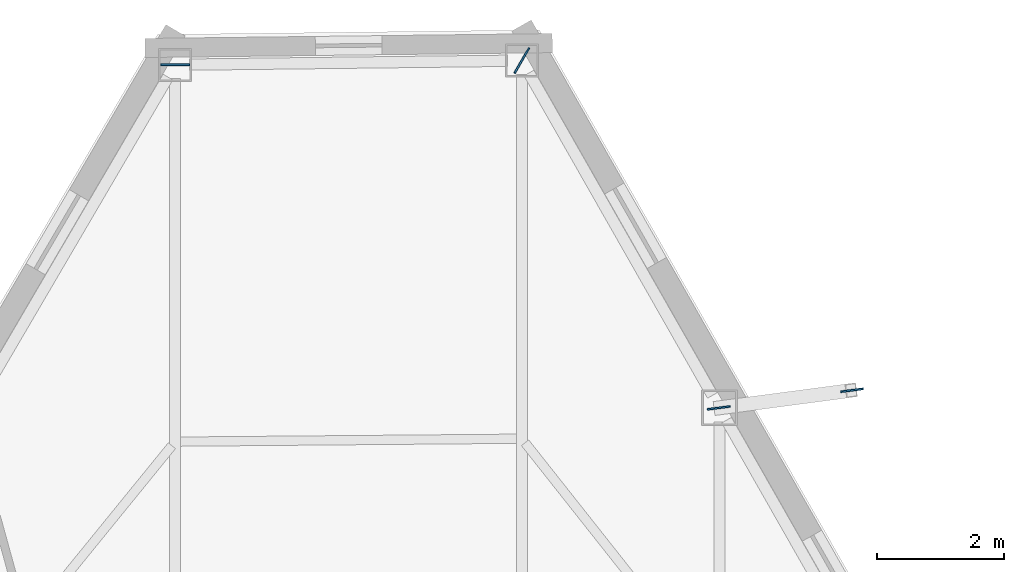
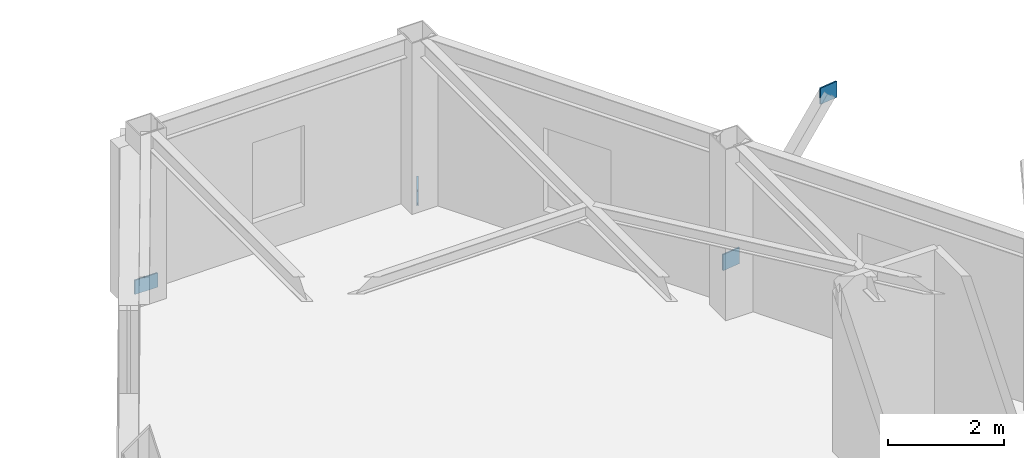
# One storey, part 6 of 10: 4 plates.
"""IFC4 building model written with IfcOpenShell, lengths in metres."""

from ifc_helpers import new_model, si_unit, direction, frame, origin, origin_2d, place, context, subcontext, project, spatial, rectangle, extrude, material, layer, layer_set, type_object, element, save


model = new_model("IFC4")

# Units and contexts
model_context = context("Model", 3, precision=1e-05, world=origin(), true_north=direction((0.0, 1.0)))
body_context = subcontext(model_context, "Body", "Model", "MODEL_VIEW")
ifc_project = project(units=[si_unit("LENGTHUNIT", "METRE"), si_unit("AREAUNIT", "SQUARE_METRE"), si_unit("VOLUMEUNIT", "CUBIC_METRE"), si_unit("PLANEANGLEUNIT", "RADIAN"), si_unit("MASSUNIT", "GRAM", prefix="KILO")], contexts=[model_context])

# Site, building, storey
site_placement = place(None, origin())
site = spatial("IfcSite", under=ifc_project, at=site_placement, CompositionType="ELEMENT")
building_placement = place(site_placement, origin())
building = spatial("IfcBuilding", under=site, at=building_placement, Name="Kavelnor Concourse Tower", CompositionType="ELEMENT")
storey_placement = place(building_placement, frame((0.0, 0.0, 289.550048828125)))
storey = spatial("IfcBuildingStorey", under=building, at=storey_placement, Name="L73", CompositionType="ELEMENT", Elevation=289.550048828125)

# Plates
ifc_material = material(Name="Steel Grade 350", Category="steel")
ifc_layer = layer(ifc_material, 0.028076171875, Name="Steel Grade 350")
ifc_layer_set = layer_set([ifc_layer], Name="Steel Grade 350")
plate_type = type_object("IfcPlateType", Name="PL-GUSSET-FOLD", PredefinedType="USERDEFINED", material=ifc_layer_set)
for number, where, z_axis, x_axis, name in (
    (1, (35.20751953125, 43.575439453125, 0.10009765625), (0.0, 0.0, 1.0), (1.0, 0.0, 0.0), "L73 Herringbone Corner-Fold Kink Gusset Plate F0-B0"),
    (2, (40.667724609375, 43.640869140625, 0.10009765625), (0.0, 0.0, 1.0), (-0.5, -0.866025403784, 0.0), "L73 Herringbone Corner-Fold Kink Gusset Plate F2-B6"),
):
    element("IfcPlate", number, at=place(storey_placement, frame(where, z_axis=z_axis, x_axis=x_axis)), inside=storey, type_object=plate_type, Name=name, ObjectType="GUSSET_PLATE", PredefinedType="USERDEFINED", context=body_context, shape_type="SweptSolid", body=[
        extrude(rectangle(XDim=0.4599609375, YDim=0.028076171875, at=origin_2d()), origin(), (0.0, 0.0, 1.0), 0.300048828125),
    ])
for number, where, z_axis, x_axis, name in (
    (3, (43.768798828125, 38.171142578125, 0.8798828125), (0.0, 0.0, 1.0), (0.991376382117, 0.13104529362, 0.0), "L73 Balcony Strut Gusset GP4 1-B End Gusset A"),
    (4, (45.867431640625, 38.448486328125, 3.48486328125), (0.0, 0.0, 1.0), (0.991376382117, 0.13104529362, 0.0), "L73 Balcony Strut Gusset GP4 1-B End Gusset B"),
):
    element("IfcPlate", number, at=place(storey_placement, frame(where, z_axis=z_axis, x_axis=x_axis)), inside=storey, type_object=plate_type, Name=name, ObjectType="GUSSET_PLATE", PredefinedType="USERDEFINED", context=body_context, shape_type="SweptSolid", body=[
        extrude(rectangle(XDim=0.360107421875, YDim=0.028076171875, at=origin_2d()), origin(), (0.0, 0.0, 1.0), 0.340087890625),
    ])

save(model, "model.ifc")
